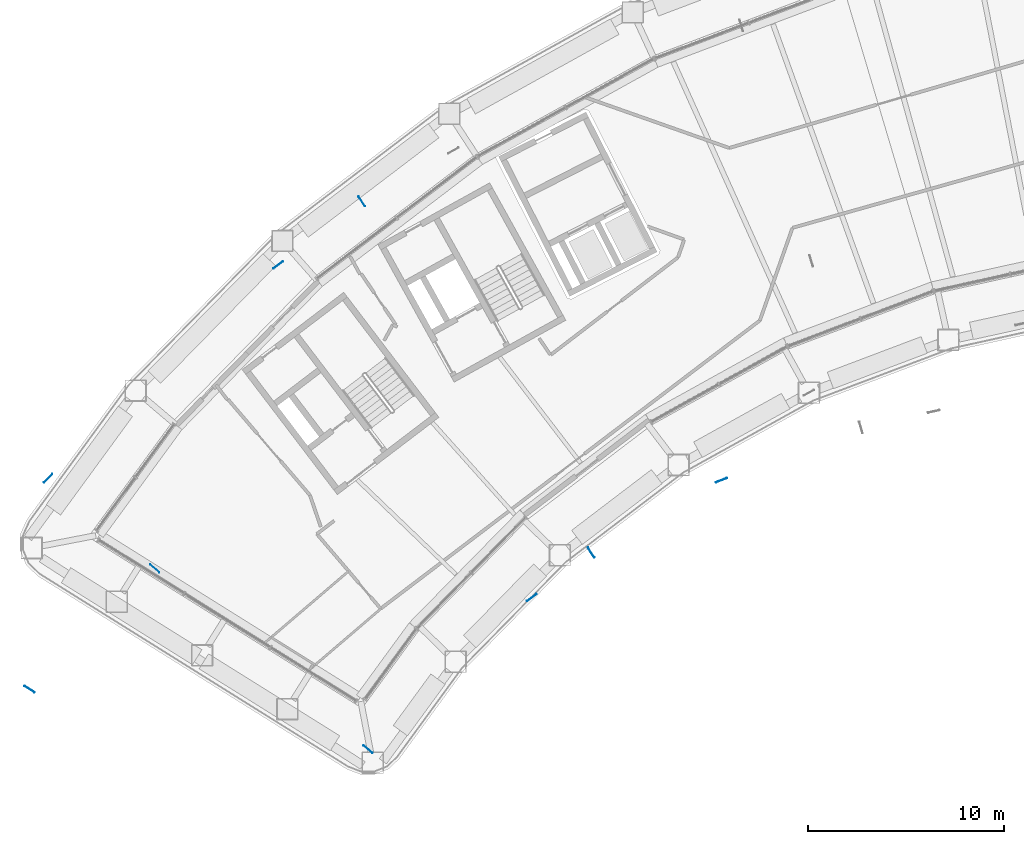
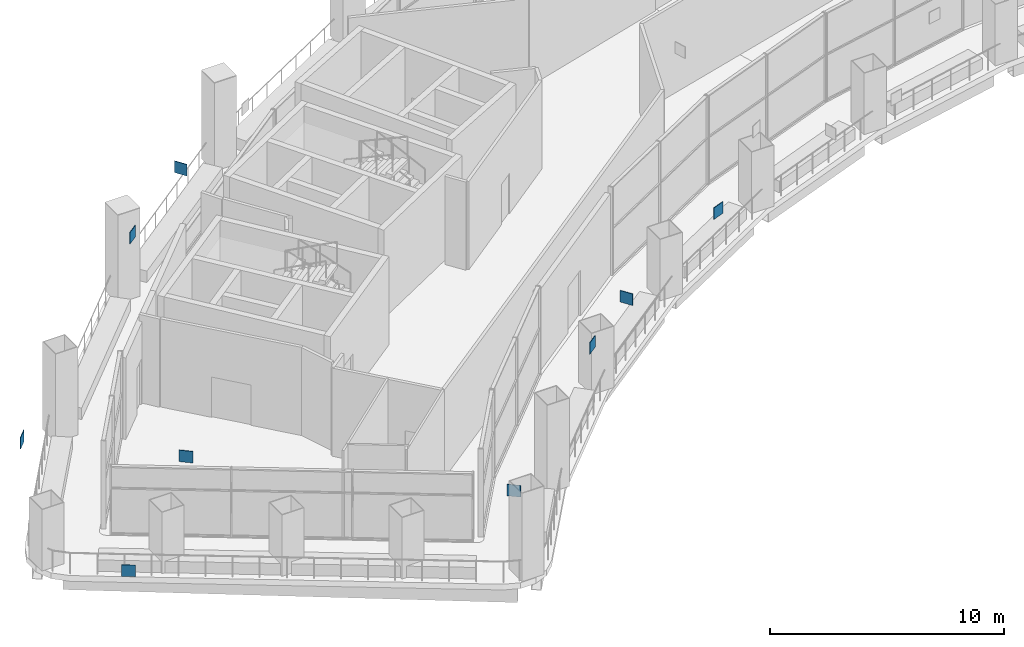
# One storey, part 21 of 28: 9 discrete accessories.
"""IFC4 building model written with IfcOpenShell, lengths in metres."""

from ifc_helpers import new_model, si_unit, direction, frame, origin, origin_2d, place, context, subcontext, project, spatial, rectangle, extrude, material, type_object, element, save


model = new_model("IFC4")

# Units and contexts
model_context = context("Model", 3, precision=1e-05, world=origin(), true_north=direction((0.0, 1.0)))
body_context = subcontext(model_context, "Body", "Model", "MODEL_VIEW")
ifc_project = project(units=[si_unit("LENGTHUNIT", "METRE"), si_unit("AREAUNIT", "SQUARE_METRE"), si_unit("VOLUMEUNIT", "CUBIC_METRE"), si_unit("PLANEANGLEUNIT", "RADIAN"), si_unit("MASSUNIT", "GRAM", prefix="KILO")], contexts=[model_context])

# Site, building, storey
site_placement = place(None, origin())
site = spatial("IfcSite", under=ifc_project, at=site_placement, CompositionType="ELEMENT")
building_placement = place(site_placement, origin())
building = spatial("IfcBuilding", under=site, at=building_placement, Name="Tuul Gate Civic Tower", CompositionType="ELEMENT")
storey_placement = place(building_placement, frame((0.0, 0.0, 128.699951171875)))
storey = spatial("IfcBuildingStorey", under=building, at=storey_placement, Name="Sky garden level 1", CompositionType="ELEMENT", Elevation=128.699951171875)

# Discrete accessories
ifc_material = material(Name="Steel S355", Category="steel")
discrete_accessory_type = type_object("IfcDiscreteAccessoryType", Name="Gusset plate", PredefinedType="BRACKET", material=ifc_material)
for number, where, z_axis, x_axis, name in (
    (1, (-34.70654296875, -30.69287109375, 3.5966796875), (0.0, 0.0, 1.0), (-0.76282474496, 0.646605295738, 0.0), "Gusset plate"),
    (2, (-45.567626953125, -21.487060546875, 3.597412109375), (0.0, 0.0, 1.0), (-0.76282474496, 0.646605295738, 0.0), "Gusset plate"),
    (3, (-35.029296875, -2.7900390625, 3.595458984375), (0.0, 0.0, 1.0), (0.54671037004, -0.837321784794, 0.0), "Gusset plate"),
    (4, (-23.354248046875, -20.673095703125, 3.595703125), (0.0, 0.0, 1.0), (-0.546710516181, 0.837321689375, 0.0), "Gusset plate"),
    (5, (-39.27587890625, -6.02490234375, 3.5966796875), (0.0, 0.0, 1.0), (0.795663839612, 0.605738437227, 0.0), "Gusset plate"),
    (6, (-50.998291015625, -16.8837890625, 3.5966796875), (0.0, 0.0, 1.0), (0.700000236809, 0.714142610735, 0.0), "Gusset plate"),
    (7, (-16.713134765625, -16.99169921875, 3.59619140625), (0.0, 0.0, 1.0), (0.935367540469, 0.353677203444, 0.0), "Gusset plate"),
    (8, (-26.373046875, -22.971435546875, 3.59619140625), (0.0, 0.0, 1.0), (-0.795616135693, -0.605801093284, 0.0), "Gusset plate"),
    (9, (-51.9541015625, -27.631103515625, 3.5966796875), (0.0, 0.0, 1.0), (-0.84627513954, 0.532746082291, 0.0), "Gusset plate"),
):
    element("IfcDiscreteAccessory", number, at=place(storey_placement, frame(where, z_axis=z_axis, x_axis=x_axis)), inside=storey, type_object=discrete_accessory_type, Name=name, PredefinedType="BRACKET", context=body_context, shape_type="SweptSolid", body=[
        extrude(rectangle(XDim=0.60009765625, YDim=0.030029296875, at=origin_2d()), origin(), (0.0, 0.0, 1.0), 0.60009765625),
    ])

save(model, "model.ifc")
